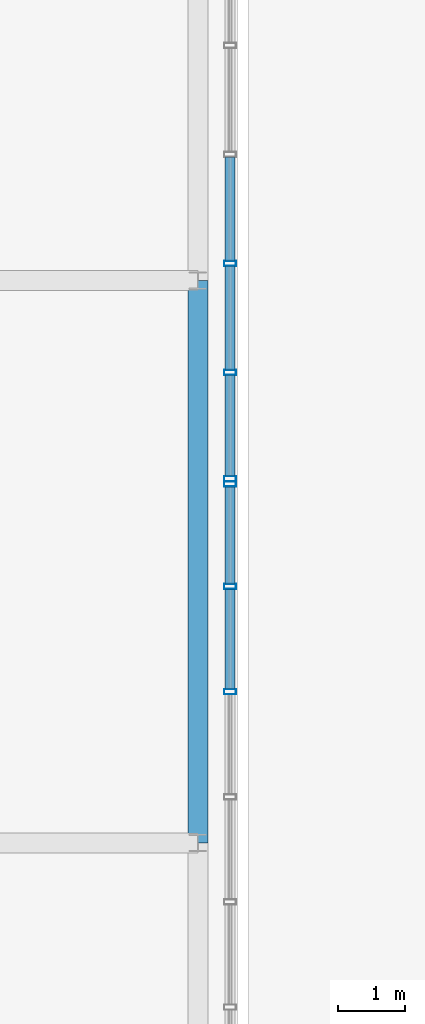
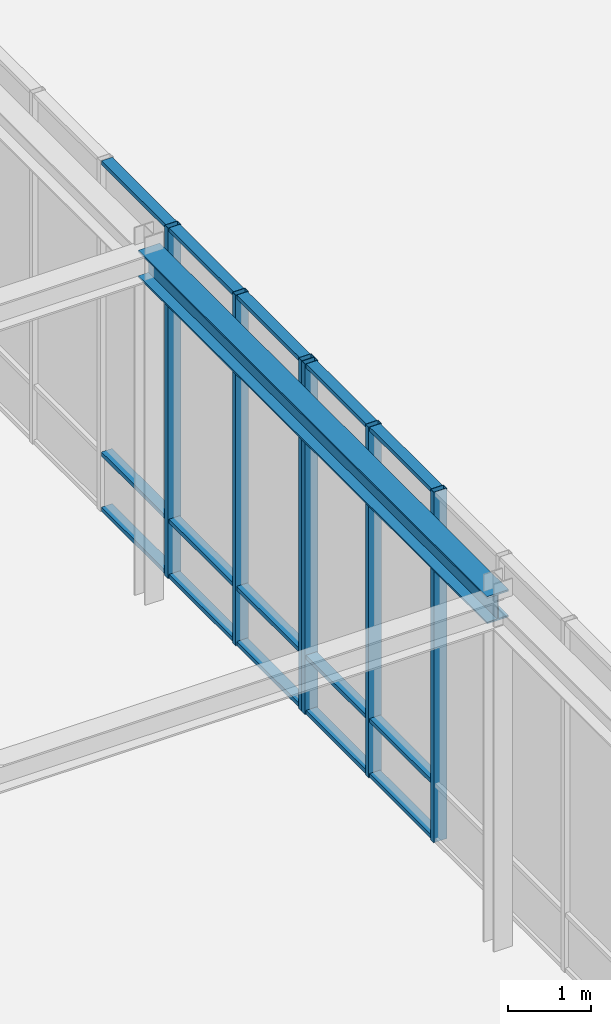
# One storey, part 25 of 122: 21 members, 1 beam, 2 elements without a shape of their own.
"""IFC4 building model written with IfcOpenShell, lengths in metres."""

from ifc_helpers import new_model, si_unit, direction, frame, origin, origin_2d, place, context, subcontext, project, spatial, hollow_rectangle, i_section, extrude, material, layer, layer_set, material_profile, profile_set, type_object, element, aggregate, save


model = new_model("IFC4")

# Units and contexts
model_context = context("Model", 3, precision=1e-05, world=origin(), true_north=direction((0.0, 1.0)))
body_context = subcontext(model_context, "Body", "Model", "MODEL_VIEW")
ifc_project = project(units=[si_unit("LENGTHUNIT", "METRE"), si_unit("AREAUNIT", "SQUARE_METRE"), si_unit("VOLUMEUNIT", "CUBIC_METRE"), si_unit("PLANEANGLEUNIT", "RADIAN"), si_unit("MASSUNIT", "GRAM", prefix="KILO")], contexts=[model_context])

# Site, building, storey
site_placement = place(None, origin())
site = spatial("IfcSite", under=ifc_project, at=site_placement, CompositionType="ELEMENT")
building_placement = place(site_placement, origin())
building = spatial("IfcBuilding", under=site, at=building_placement, Name="Zayran Congress Hotel", CompositionType="ELEMENT")
storey_placement = place(building_placement, origin())
storey = spatial("IfcBuildingStorey", under=building, at=storey_placement, Name="L00", CompositionType="ELEMENT", Elevation=0.0)

# Beam
ifc_material_1 = material(Name="Steel S355", Category="steel")
ifc_material_profile_1 = material_profile(ifc_material_1, i_section(OverallWidth=0.300048828125, OverallDepth=0.39990234375, WebThickness=0.013427734375, FlangeThickness=0.02392578125, at=origin_2d()), Name="HEB 400")
ifc_profile_set_1 = profile_set([ifc_material_profile_1], Name="Steel S355")
beam_type = type_object("IfcBeamType", Name="TP-BM-10", PredefinedType="BEAM", material=ifc_profile_set_1)
beam_placement = place(storey_placement, frame((91.800048828125, 50.800048828125, 4.949951171875), z_axis=(0.0, 1.0, 0.0), x_axis=(-1.0, 0.0, 0.0)))
element("IfcBeam", 1, at=beam_placement, inside=storey, type_object=beam_type, Name="BM-BR2Y-L00-2456", PredefinedType="BEAM", context=body_context, shape_type="SweptSolid", body=[
    extrude(i_section(OverallWidth=0.300048828125, OverallDepth=0.39990234375, WebThickness=0.013427734375, FlangeThickness=0.02392578125, at=origin_2d()), origin(), (0.0, 0.0, 1.0), 8.39990234375),
])

# Curtain wall, members
ifc_material_2 = material(Name="Anodised aluminium and low-E insulated glass", Category="aluminium")
ifc_layer_1 = layer(ifc_material_2, 0.179931640625)
ifc_layer_set_1 = layer_set([ifc_layer_1], Name="Anodised aluminium and low-E insulated glass")
curtain_wall_type_1 = type_object("IfcCurtainWallType", Name="CW-BR2-L00-CW-BR2-11000-5150", PredefinedType="USERDEFINED", material=ifc_layer_set_1)
curtain_wall_1_placement = place(storey_placement, origin())
curtain_wall_1 = element("IfcCurtainWall", 2, at=curtain_wall_1_placement, inside=storey, type_object=curtain_wall_type_1, Name="CW-BR2E-L00-1", ObjectType="CURTAIN WALL", PredefinedType="USERDEFINED")
ifc_material_3 = material(Name="Anodised aluminium framing", Category="aluminium")
ifc_material_profile_2 = material_profile(ifc_material_3, hollow_rectangle(XDim=0.080078125, YDim=0.179931640625, WallThickness=0.0048828125, at=origin_2d()), Name="RHS 180x80x5")
ifc_profile_set_2 = profile_set([ifc_material_profile_2], Name="Anodised aluminium framing")
member_type_1 = type_object("IfcMemberType", Name="TP-CWM-01", PredefinedType="MULLION", material=ifc_profile_set_2)
member_1_placement = place(storey_placement, frame((92.280029296875, 53.05712890625, 0.0), z_axis=(0.0, 0.0, 1.0), x_axis=(0.0, 1.0, 0.0)))
member_1 = element("IfcMember", 3, at=member_1_placement, type_object=member_type_1, Name="CW-BR2E-L00-1-M05", PredefinedType="MULLION", context=body_context, shape_type="SweptSolid", body=[
    extrude(hollow_rectangle(XDim=0.080078125, YDim=0.179931640625, WallThickness=0.0048828125, at=origin_2d()), origin(), (0.0, 0.0, 1.0), 5.14990234375),
])
member_2_placement = place(storey_placement, frame((92.280029296875, 54.628662109375, 0.0), z_axis=(0.0, 0.0, 1.0), x_axis=(0.0, 1.0, 0.0)))
member_2 = element("IfcMember", 4, at=member_2_placement, type_object=member_type_1, Name="CW-BR2E-L00-1-M06", PredefinedType="MULLION", context=body_context, shape_type="SweptSolid", body=[
    extrude(hollow_rectangle(XDim=0.080078125, YDim=0.179931640625, WallThickness=0.0048828125, at=origin_2d()), origin(), (0.0, 0.0, 1.0), 5.14990234375),
])
member_3_placement = place(storey_placement, frame((92.280029296875, 56.159912109375, 0.0), z_axis=(0.0, 0.0, 1.0), x_axis=(0.0, 1.0, 0.0)))
member_3 = element("IfcMember", 5, at=member_3_placement, type_object=member_type_1, Name="CW-BR2E-L00-1-M07", PredefinedType="MULLION", context=body_context, shape_type="SweptSolid", body=[
    extrude(hollow_rectangle(XDim=0.080078125, YDim=0.179931640625, WallThickness=0.0048828125, at=origin_2d()), origin(), (0.0, 0.0, 1.0), 5.14990234375),
])

ifc_layer_2 = layer(ifc_material_2, 0.179931640625)
ifc_layer_set_2 = layer_set([ifc_layer_2], Name="Anodised aluminium and low-E insulated glass")
curtain_wall_type_2 = type_object("IfcCurtainWallType", Name="CW-BR2-L00-CW-BR2-11400-5150", PredefinedType="USERDEFINED", material=ifc_layer_set_2)
curtain_wall_2_placement = place(storey_placement, origin())
curtain_wall_2 = element("IfcCurtainWall", 6, at=curtain_wall_2_placement, inside=storey, type_object=curtain_wall_type_2, Name="CW-BR2E-L00-2", ObjectType="CURTAIN WALL", PredefinedType="USERDEFINED")
member_4_placement = place(storey_placement, frame((92.280029296875, 56.239990234375, 0.0), z_axis=(0.0, 0.0, 1.0), x_axis=(0.0, 1.0, 0.0)))
member_4 = element("IfcMember", 7, at=member_4_placement, type_object=member_type_1, Name="CW-BR2E-L00-2-M00", PredefinedType="MULLION", context=body_context, shape_type="SweptSolid", body=[
    extrude(hollow_rectangle(XDim=0.080078125, YDim=0.179931640625, WallThickness=0.0048828125, at=origin_2d()), origin(), (0.0, 0.0, 1.0), 5.14990234375),
])
member_5_placement = place(storey_placement, frame((92.280029296875, 57.82861328125, 0.0), z_axis=(0.0, 0.0, 1.0), x_axis=(0.0, 1.0, 0.0)))
member_5 = element("IfcMember", 8, at=member_5_placement, type_object=member_type_1, Name="CW-BR2E-L00-2-M01", PredefinedType="MULLION", context=body_context, shape_type="SweptSolid", body=[
    extrude(hollow_rectangle(XDim=0.080078125, YDim=0.179931640625, WallThickness=0.0048828125, at=origin_2d()), origin(), (0.0, 0.0, 1.0), 5.14990234375),
])
member_6_placement = place(storey_placement, frame((92.280029296875, 59.45703125, 0.0), z_axis=(0.0, 0.0, 1.0), x_axis=(0.0, 1.0, 0.0)))
member_6 = element("IfcMember", 9, at=member_6_placement, type_object=member_type_1, Name="CW-BR2E-L00-2-M02", PredefinedType="MULLION", context=body_context, shape_type="SweptSolid", body=[
    extrude(hollow_rectangle(XDim=0.080078125, YDim=0.179931640625, WallThickness=0.0048828125, at=origin_2d()), origin(), (0.0, 0.0, 1.0), 5.14990234375),
])

# Member
ifc_material_profile_3 = material_profile(ifc_material_3, hollow_rectangle(XDim=0.06005859375, YDim=0.14990234375, WallThickness=0.00390625, at=origin_2d()), Name="RHS 150x60x4")
ifc_profile_set_3 = profile_set([ifc_material_profile_3], Name="Anodised aluminium framing")
member_type_2 = type_object("IfcMemberType", Name="TP-CWT-01", PredefinedType="USERDEFINED", material=ifc_profile_set_3)
member_7_placement = place(storey_placement, frame((92.280029296875, 53.09716796875, 0.030029296875), z_axis=(0.0, 1.0, 0.0), x_axis=(0.0, 0.0, 1.0)))
member_7 = element("IfcMember", 10, at=member_7_placement, type_object=member_type_2, Name="CW-BR2E-L00-1-T05-0", ObjectType="TRANSOM", PredefinedType="USERDEFINED", context=body_context, shape_type="SweptSolid", body=[
    extrude(hollow_rectangle(XDim=0.06005859375, YDim=0.14990234375, WallThickness=0.00390625, at=origin_2d()), origin(), (0.0, 0.0, 1.0), 1.491455078125),
])

member_8_placement = place(storey_placement, frame((92.280029296875, 53.09716796875, 0.840087890625), z_axis=(0.0, 1.0, 0.0), x_axis=(0.0, 0.0, 1.0)))
member_8 = element("IfcMember", 11, at=member_8_placement, type_object=member_type_2, Name="CW-BR2E-L00-1-T05-1", ObjectType="TRANSOM", PredefinedType="USERDEFINED", context=body_context, shape_type="SweptSolid", body=[
    extrude(hollow_rectangle(XDim=0.06005859375, YDim=0.14990234375, WallThickness=0.00390625, at=origin_2d()), origin(), (0.0, 0.0, 1.0), 1.491455078125),
])

member_9_placement = place(storey_placement, frame((92.280029296875, 53.09716796875, 5.1201171875), z_axis=(0.0, 1.0, 0.0), x_axis=(0.0, 0.0, 1.0)))
member_9 = element("IfcMember", 12, at=member_9_placement, type_object=member_type_2, Name="CW-BR2E-L00-1-T05-2", ObjectType="TRANSOM", PredefinedType="USERDEFINED", context=body_context, shape_type="SweptSolid", body=[
    extrude(hollow_rectangle(XDim=0.06005859375, YDim=0.14990234375, WallThickness=0.00390625, at=origin_2d()), origin(), (0.0, 0.0, 1.0), 1.491455078125),
])

member_10_placement = place(storey_placement, frame((92.280029296875, 54.668701171875, 0.030029296875), z_axis=(0.0, 1.0, 0.0), x_axis=(0.0, 0.0, 1.0)))
member_10 = element("IfcMember", 13, at=member_10_placement, type_object=member_type_2, Name="CW-BR2E-L00-1-T06-0", ObjectType="TRANSOM", PredefinedType="USERDEFINED", context=body_context, shape_type="SweptSolid", body=[
    extrude(hollow_rectangle(XDim=0.06005859375, YDim=0.14990234375, WallThickness=0.00390625, at=origin_2d()), origin(), (0.0, 0.0, 1.0), 1.451416015625),
])

member_11_placement = place(storey_placement, frame((92.280029296875, 54.668701171875, 0.840087890625), z_axis=(0.0, 1.0, 0.0), x_axis=(0.0, 0.0, 1.0)))
member_11 = element("IfcMember", 14, at=member_11_placement, type_object=member_type_2, Name="CW-BR2E-L00-1-T06-1", ObjectType="TRANSOM", PredefinedType="USERDEFINED", context=body_context, shape_type="SweptSolid", body=[
    extrude(hollow_rectangle(XDim=0.06005859375, YDim=0.14990234375, WallThickness=0.00390625, at=origin_2d()), origin(), (0.0, 0.0, 1.0), 1.451416015625),
])

member_12_placement = place(storey_placement, frame((92.280029296875, 54.668701171875, 5.1201171875), z_axis=(0.0, 1.0, 0.0), x_axis=(0.0, 0.0, 1.0)))
member_12 = element("IfcMember", 15, at=member_12_placement, type_object=member_type_2, Name="CW-BR2E-L00-1-T06-2", ObjectType="TRANSOM", PredefinedType="USERDEFINED", context=body_context, shape_type="SweptSolid", body=[
    extrude(hollow_rectangle(XDim=0.06005859375, YDim=0.14990234375, WallThickness=0.00390625, at=origin_2d()), origin(), (0.0, 0.0, 1.0), 1.451416015625),
])

aggregate(curtain_wall_1, [member_1, member_2, member_3, member_7, member_8, member_9, member_10, member_11, member_12])

member_13_placement = place(storey_placement, frame((92.280029296875, 56.280029296875, 0.030029296875), z_axis=(0.0, 1.0, 0.0), x_axis=(0.0, 0.0, 1.0)))
member_13 = element("IfcMember", 16, at=member_13_placement, type_object=member_type_2, Name="CW-BR2E-L00-2-T00-0", ObjectType="TRANSOM", PredefinedType="USERDEFINED", context=body_context, shape_type="SweptSolid", body=[
    extrude(hollow_rectangle(XDim=0.06005859375, YDim=0.14990234375, WallThickness=0.00390625, at=origin_2d()), origin(), (0.0, 0.0, 1.0), 1.508544921875),
])

member_14_placement = place(storey_placement, frame((92.280029296875, 56.280029296875, 0.840087890625), z_axis=(0.0, 1.0, 0.0), x_axis=(0.0, 0.0, 1.0)))
member_14 = element("IfcMember", 17, at=member_14_placement, type_object=member_type_2, Name="CW-BR2E-L00-2-T00-1", ObjectType="TRANSOM", PredefinedType="USERDEFINED", context=body_context, shape_type="SweptSolid", body=[
    extrude(hollow_rectangle(XDim=0.06005859375, YDim=0.14990234375, WallThickness=0.00390625, at=origin_2d()), origin(), (0.0, 0.0, 1.0), 1.508544921875),
])

member_15_placement = place(storey_placement, frame((92.280029296875, 56.280029296875, 5.1201171875), z_axis=(0.0, 1.0, 0.0), x_axis=(0.0, 0.0, 1.0)))
member_15 = element("IfcMember", 18, at=member_15_placement, type_object=member_type_2, Name="CW-BR2E-L00-2-T00-2", ObjectType="TRANSOM", PredefinedType="USERDEFINED", context=body_context, shape_type="SweptSolid", body=[
    extrude(hollow_rectangle(XDim=0.06005859375, YDim=0.14990234375, WallThickness=0.00390625, at=origin_2d()), origin(), (0.0, 0.0, 1.0), 1.508544921875),
])

member_16_placement = place(storey_placement, frame((92.280029296875, 57.86865234375, 0.030029296875), z_axis=(0.0, 1.0, 0.0), x_axis=(0.0, 0.0, 1.0)))
member_16 = element("IfcMember", 19, at=member_16_placement, type_object=member_type_2, Name="CW-BR2E-L00-2-T01-0", ObjectType="TRANSOM", PredefinedType="USERDEFINED", context=body_context, shape_type="SweptSolid", body=[
    extrude(hollow_rectangle(XDim=0.06005859375, YDim=0.14990234375, WallThickness=0.00390625, at=origin_2d()), origin(), (0.0, 0.0, 1.0), 1.54833984375),
])

member_17_placement = place(storey_placement, frame((92.280029296875, 57.86865234375, 0.840087890625), z_axis=(0.0, 1.0, 0.0), x_axis=(0.0, 0.0, 1.0)))
member_17 = element("IfcMember", 20, at=member_17_placement, type_object=member_type_2, Name="CW-BR2E-L00-2-T01-1", ObjectType="TRANSOM", PredefinedType="USERDEFINED", context=body_context, shape_type="SweptSolid", body=[
    extrude(hollow_rectangle(XDim=0.06005859375, YDim=0.14990234375, WallThickness=0.00390625, at=origin_2d()), origin(), (0.0, 0.0, 1.0), 1.54833984375),
])

member_18_placement = place(storey_placement, frame((92.280029296875, 57.86865234375, 5.1201171875), z_axis=(0.0, 1.0, 0.0), x_axis=(0.0, 0.0, 1.0)))
member_18 = element("IfcMember", 21, at=member_18_placement, type_object=member_type_2, Name="CW-BR2E-L00-2-T01-2", ObjectType="TRANSOM", PredefinedType="USERDEFINED", context=body_context, shape_type="SweptSolid", body=[
    extrude(hollow_rectangle(XDim=0.06005859375, YDim=0.14990234375, WallThickness=0.00390625, at=origin_2d()), origin(), (0.0, 0.0, 1.0), 1.54833984375),
])

member_19_placement = place(storey_placement, frame((92.280029296875, 59.4970703125, 0.030029296875), z_axis=(0.0, 1.0, 0.0), x_axis=(0.0, 0.0, 1.0)))
member_19 = element("IfcMember", 22, at=member_19_placement, type_object=member_type_2, Name="CW-BR2E-L00-2-T02-0", ObjectType="TRANSOM", PredefinedType="USERDEFINED", context=body_context, shape_type="SweptSolid", body=[
    extrude(hollow_rectangle(XDim=0.06005859375, YDim=0.14990234375, WallThickness=0.00390625, at=origin_2d()), origin(), (0.0, 0.0, 1.0), 1.548583984375),
])

member_20_placement = place(storey_placement, frame((92.280029296875, 59.4970703125, 0.840087890625), z_axis=(0.0, 1.0, 0.0), x_axis=(0.0, 0.0, 1.0)))
member_20 = element("IfcMember", 23, at=member_20_placement, type_object=member_type_2, Name="CW-BR2E-L00-2-T02-1", ObjectType="TRANSOM", PredefinedType="USERDEFINED", context=body_context, shape_type="SweptSolid", body=[
    extrude(hollow_rectangle(XDim=0.06005859375, YDim=0.14990234375, WallThickness=0.00390625, at=origin_2d()), origin(), (0.0, 0.0, 1.0), 1.548583984375),
])

member_21_placement = place(storey_placement, frame((92.280029296875, 59.4970703125, 5.1201171875), z_axis=(0.0, 1.0, 0.0), x_axis=(0.0, 0.0, 1.0)))
member_21 = element("IfcMember", 24, at=member_21_placement, type_object=member_type_2, Name="CW-BR2E-L00-2-T02-2", ObjectType="TRANSOM", PredefinedType="USERDEFINED", context=body_context, shape_type="SweptSolid", body=[
    extrude(hollow_rectangle(XDim=0.06005859375, YDim=0.14990234375, WallThickness=0.00390625, at=origin_2d()), origin(), (0.0, 0.0, 1.0), 1.548583984375),
])

aggregate(curtain_wall_2, [member_4, member_5, member_6, member_13, member_14, member_15, member_16, member_17, member_18, member_19, member_20, member_21])

save(model, "model.ifc")
